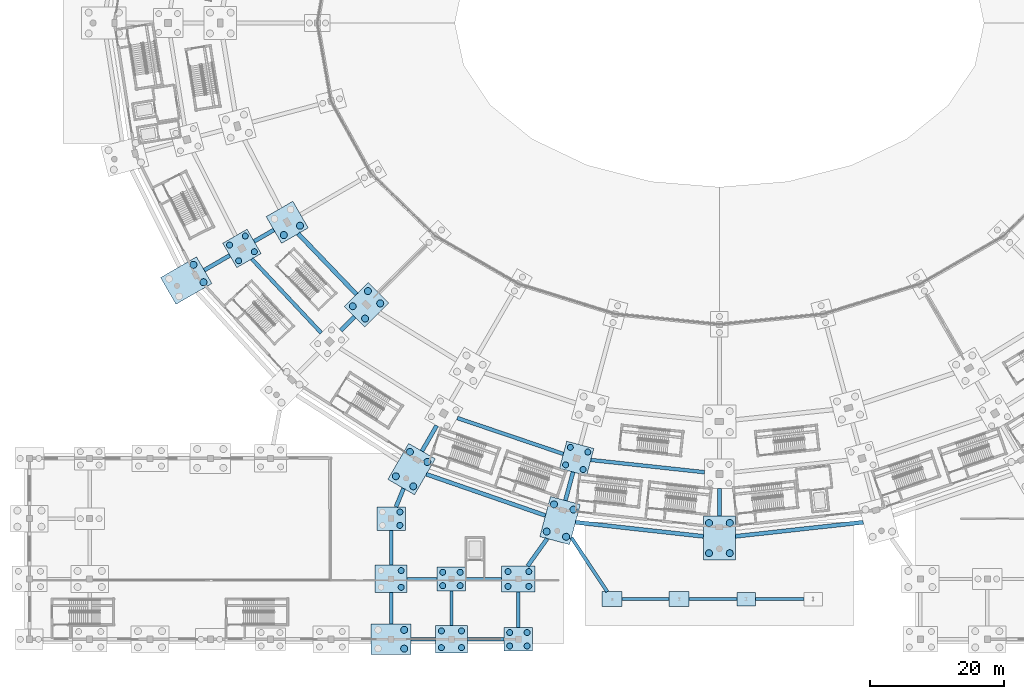
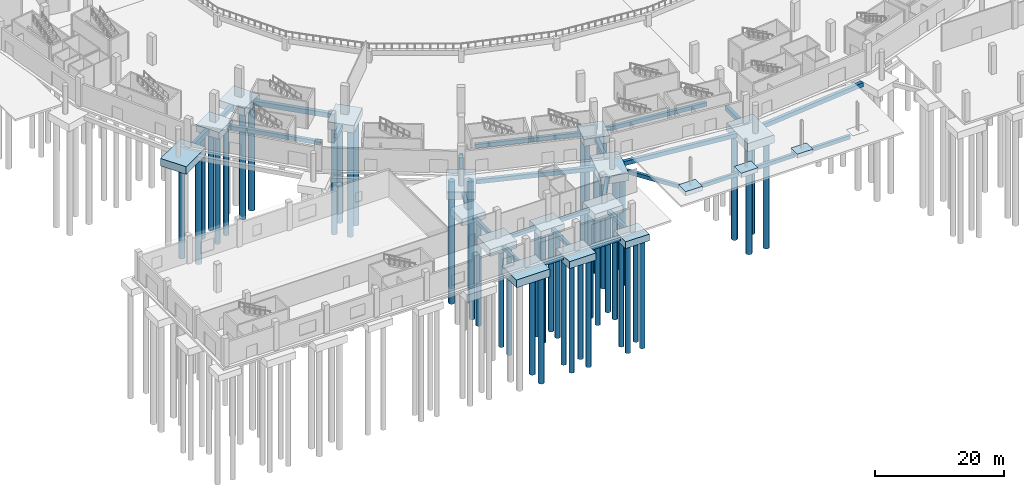
# One storey, part 2 of 103: 50 piles, 45 footings.
"""IFC4 building model written with IfcOpenShell, lengths in metres."""

from ifc_helpers import new_model, si_unit, direction, frame, origin, origin_2d, place, context, subcontext, project, spatial, rectangle, circle, extrude, material, material_profile, profile_set, type_object, element, save


model = new_model("IFC4")

# Units and contexts
model_context = context("Model", 3, precision=1e-05, world=origin(), true_north=direction((0.0, 1.0)))
body_context = subcontext(model_context, "Body", "Model", "MODEL_VIEW")
ifc_project = project(units=[si_unit("LENGTHUNIT", "METRE"), si_unit("AREAUNIT", "SQUARE_METRE"), si_unit("VOLUMEUNIT", "CUBIC_METRE"), si_unit("PLANEANGLEUNIT", "RADIAN"), si_unit("MASSUNIT", "GRAM", prefix="KILO")], contexts=[model_context])

# Site, building, storey
site_placement = place(None, origin())
site = spatial("IfcSite", under=ifc_project, at=site_placement, CompositionType="ELEMENT")
building_placement = place(site_placement, origin())
building = spatial("IfcBuilding", under=site, at=building_placement, Name="Zevraka Park Crest Stadium", CompositionType="ELEMENT")
storey_placement = place(building_placement, origin())
storey = spatial("IfcBuildingStorey", under=building, at=storey_placement, Name="L00", CompositionType="ELEMENT", Elevation=0.0)

# Footings
ifc_material_1 = material(Name="Concrete C35/45", Category="concrete")
ifc_material_profile_1 = material_profile(ifc_material_1, rectangle(XDim=0.60009765625, YDim=0.800048828125, at=origin_2d()), Name="GB 800x600")
ifc_profile_set_1 = profile_set([ifc_material_profile_1], Name="Concrete C35/45")
footing_type_1 = type_object("IfcFootingType", Name="GB01", PredefinedType="FOOTING_BEAM", material=ifc_profile_set_1)
footing_1_placement = place(storey_placement, frame((45.489013671875, 61.10009765625, -0.75), z_axis=(-0.865971507594, -0.500093339322, 0.0), x_axis=(0.500093339322, -0.865971507594, 0.0)))
element("IfcFooting", 1, at=footing_1_placement, inside=storey, type_object=footing_type_1, Name="Ground Tie Beam GB01 RAD-BC-14", PredefinedType="FOOTING_BEAM", context=body_context, shape_type="SweptSolid", body=[
    extrude(rectangle(XDim=0.60009765625, YDim=0.800048828125, at=origin_2d()), origin(), (0.0, 0.0, 1.0), 3.399658203125),
])
footing_2_placement = place(storey_placement, frame((38.906982421875, 57.300048828125, -0.75), z_axis=(-0.866004457284, -0.500036278648, 0.0), x_axis=(0.500036278648, -0.866004457284, 0.0)))
element("IfcFooting", 2, at=footing_2_placement, inside=storey, type_object=footing_type_1, Name="Ground Tie Beam GB01 RAD-CDE-14", PredefinedType="FOOTING_BEAM", context=body_context, shape_type="SweptSolid", body=[
    extrude(rectangle(XDim=0.60009765625, YDim=0.800048828125, at=origin_2d()), origin(), (0.0, 0.0, 1.0), 4.399658203125),
])
footing_3_placement = place(storey_placement, frame((57.51806640625, 48.1240234375, -0.75), z_axis=(-0.707106781187, -0.707106781187, 0.0), x_axis=(0.707106781187, -0.707106781187, 0.0)))
element("IfcFooting", 3, at=footing_3_placement, inside=storey, type_object=footing_type_1, Name="Ground Tie Beam GB01 RAD-BC-15", PredefinedType="FOOTING_BEAM", context=body_context, shape_type="SweptSolid", body=[
    extrude(rectangle(XDim=0.60009765625, YDim=0.800048828125, at=origin_2d()), origin(), (0.0, 0.0, 1.0), 2.875),
])
footing_4_placement = place(storey_placement, frame((69.800048828125, 31.89697265625, -0.75), z_axis=(-0.500036278648, -0.866004457284, 0.0), x_axis=(0.866004457284, -0.500036278648, 0.0)))
element("IfcFooting", 4, at=footing_4_placement, inside=storey, type_object=footing_type_1, Name="Ground Tie Beam GB01 RAD-CDE-16", PredefinedType="FOOTING_BEAM", context=body_context, shape_type="SweptSolid", body=[
    extrude(rectangle(XDim=0.60009765625, YDim=0.800048828125, at=origin_2d()), origin(), (0.0, 0.0, 1.0), 4.399658203125),
])
footing_5_placement = place(storey_placement, frame((68.262939453125, 24.635009765625, -0.75), z_axis=(0.944853282542, -0.327493930431, 0.0), x_axis=(0.327493930431, 0.944853282542, 0.0)))
element("IfcFooting", 5, at=footing_5_placement, inside=storey, type_object=footing_type_1, Name="Ground Tie Beam GB01 CIR-DE-16", PredefinedType="FOOTING_BEAM", context=body_context, shape_type="SweptSolid", body=[
    extrude(rectangle(XDim=0.60009765625, YDim=0.800048828125, at=origin_2d()), origin(), (0.0, 0.0, 1.0), 18.809326171875),
])
footing_6_placement = place(storey_placement, frame((90.155029296875, 24.965087890625, -0.75), z_axis=(-0.258791543435, -0.965933194919, 0.0), x_axis=(0.965933194919, -0.258791543435, 0.0)))
element("IfcFooting", 6, at=footing_6_placement, inside=storey, type_object=footing_type_1, Name="Ground Tie Beam GB01 RAD-CDE-17", PredefinedType="FOOTING_BEAM", context=body_context, shape_type="SweptSolid", body=[
    extrude(rectangle(XDim=0.60009765625, YDim=0.800048828125, at=origin_2d()), origin(), (0.0, 0.0, 1.0), 4.40087890625),
])
footing_7_placement = place(storey_placement, frame((90.527099609375, 17.465087890625, -0.75), z_axis=(0.993987099592, -0.109497241262, 0.0), x_axis=(0.109497241262, 0.993987099592, 0.0)))
element("IfcFooting", 7, at=footing_7_placement, inside=storey, type_object=footing_type_1, Name="Ground Tie Beam GB01 CIR-DE-17", PredefinedType="FOOTING_BEAM", context=body_context, shape_type="SweptSolid", body=[
    extrude(rectangle(XDim=0.60009765625, YDim=0.800048828125, at=origin_2d()), origin(), (0.0, 0.0, 1.0), 19.1884765625),
])
footing_8_placement = place(storey_placement, frame((112.0, 22.5, -0.75), z_axis=(0.0, -1.0, 0.0), x_axis=(1.0, 0.0, 0.0)))
element("IfcFooting", 8, at=footing_8_placement, inside=storey, type_object=footing_type_1, Name="Ground Tie Beam GB01 RAD-CDE-18", PredefinedType="FOOTING_BEAM", context=body_context, shape_type="SweptSolid", body=[
    extrude(rectangle(XDim=0.60009765625, YDim=0.800048828125, at=origin_2d()), origin(), (0.0, 0.0, 1.0), 4.10009765625),
])
footing_9_placement = place(storey_placement, frame((114.39990234375, 15.364013671875, -0.75), z_axis=(0.993987099592, 0.109497241262, 0.0), x_axis=(-0.109497241262, 0.993987099592, 0.0)))
element("IfcFooting", 9, at=footing_9_placement, inside=storey, type_object=footing_type_1, Name="Ground Tie Beam GB01 CIR-DE-18", PredefinedType="FOOTING_BEAM", context=body_context, shape_type="SweptSolid", body=[
    extrude(rectangle(XDim=0.60009765625, YDim=0.800048828125, at=origin_2d()), origin(), (0.0, 0.0, 1.0), 19.1884765625),
])
footing_10_placement = place(storey_placement, frame((83.3720703125, 10.925048828125, -0.75), z_axis=(0.580370877675, 0.814352285161, 0.0), x_axis=(-0.814352285161, 0.580370877675, 0.0)))
element("IfcFooting", 10, at=footing_10_placement, inside=storey, type_object=footing_type_1, Name="Ground Tie Beam GB01 WTIE-10-B", PredefinedType="FOOTING_BEAM", context=body_context, shape_type="SweptSolid", body=[
    extrude(rectangle(XDim=0.60009765625, YDim=0.800048828125, at=origin_2d()), origin(), (0.0, 0.0, 1.0), 5.034423828125),
])
footing_11_placement = place(storey_placement, frame((63.73095703125, 19.77490234375, -0.75), z_axis=(0.380961493726, 0.924590904291, 0.0), x_axis=(-0.924590904291, 0.380961493726, 0.0)))
element("IfcFooting", 11, at=footing_11_placement, inside=storey, type_object=footing_type_1, Name="Ground Tie Beam GB01 WTIE-8-C", PredefinedType="FOOTING_BEAM", context=body_context, shape_type="SweptSolid", body=[
    extrude(rectangle(XDim=0.60009765625, YDim=0.800048828125, at=origin_2d()), origin(), (0.0, 0.0, 1.0), 2.958251953125),
])
ifc_material_2 = material(Name="Concrete C35/45", Category="concrete")
ifc_material_profile_2 = material_profile(ifc_material_2, rectangle(XDim=0.5, YDim=0.699951171875, at=origin_2d()), Name="GB 700x500")
ifc_profile_set_2 = profile_set([ifc_material_profile_2], Name="Concrete C35/45")
footing_type_2 = type_object("IfcFootingType", Name="GB02", PredefinedType="FOOTING_BEAM", material=ifc_profile_set_2)
footing_12_placement = place(storey_placement, frame((82.0, 1.77490234375, -0.699951171875), z_axis=(0.0, 1.0, 0.0), x_axis=(-1.0, 0.0, 0.0)))
element("IfcFooting", 12, at=footing_12_placement, inside=storey, type_object=footing_type_2, Name="Ground Tie Beam GB02 WY-10-A", PredefinedType="FOOTING_BEAM", context=body_context, shape_type="SweptSolid", body=[
    extrude(rectangle(XDim=0.5, YDim=0.699951171875, at=origin_2d()), origin(), (0.0, 0.0, 1.0), 5.300048828125),
])
footing_13_placement = place(storey_placement, frame((66.0, 0.0, -0.699951171875), z_axis=(1.0, 0.0, 0.0), x_axis=(0.0, 1.0, 0.0)))
element("IfcFooting", 13, at=footing_13_placement, inside=storey, type_object=footing_type_2, Name="Ground Tie Beam GB02 WX-8-A", PredefinedType="FOOTING_BEAM", context=body_context, shape_type="SweptSolid", body=[
    extrude(rectangle(XDim=0.5, YDim=0.699951171875, at=origin_2d()), origin(), (0.0, 0.0, 1.0), 3.60009765625),
])
footing_14_placement = place(storey_placement, frame((63.0, 2.25, -0.699951171875), z_axis=(0.0, 1.0, 0.0), x_axis=(-1.0, 0.0, 0.0)))
element("IfcFooting", 14, at=footing_14_placement, inside=storey, type_object=footing_type_2, Name="Ground Tie Beam GB02 WY-8-A", PredefinedType="FOOTING_BEAM", context=body_context, shape_type="SweptSolid", body=[
    extrude(rectangle(XDim=0.5, YDim=0.699951171875, at=origin_2d()), origin(), (0.0, 0.0, 1.0), 4.699951171875),
])
footing_15_placement = place(storey_placement, frame((65.39990234375, 9.0, -0.699951171875), z_axis=(1.0, 0.0, 0.0), x_axis=(0.0, 1.0, 0.0)))
element("IfcFooting", 15, at=footing_15_placement, inside=storey, type_object=footing_type_2, Name="Ground Tie Beam GB02 WX-8-B", PredefinedType="FOOTING_BEAM", context=body_context, shape_type="SweptSolid", body=[
    extrude(rectangle(XDim=0.5, YDim=0.699951171875, at=origin_2d()), origin(), (0.0, 0.0, 1.0), 4.47509765625),
])
footing_16_placement = place(storey_placement, frame((63.0, 11.050048828125, -0.699951171875), z_axis=(0.0, 1.0, 0.0), x_axis=(-1.0, 0.0, 0.0)))
element("IfcFooting", 16, at=footing_16_placement, inside=storey, type_object=footing_type_2, Name="Ground Tie Beam GB02 WY-8-B", PredefinedType="FOOTING_BEAM", context=body_context, shape_type="SweptSolid", body=[
    extrude(rectangle(XDim=0.5, YDim=0.699951171875, at=origin_2d()), origin(), (0.0, 0.0, 1.0), 5.175048828125),
])
footing_17_placement = place(storey_placement, frame((74.39990234375, 0.0, -0.699951171875), z_axis=(1.0, 0.0, 0.0), x_axis=(0.0, 1.0, 0.0)))
element("IfcFooting", 17, at=footing_17_placement, inside=storey, type_object=footing_type_2, Name="Ground Tie Beam GB02 WX-9-A", PredefinedType="FOOTING_BEAM", context=body_context, shape_type="SweptSolid", body=[
    extrude(rectangle(XDim=0.5, YDim=0.699951171875, at=origin_2d()), origin(), (0.0, 0.0, 1.0), 5.47509765625),
])
footing_18_placement = place(storey_placement, frame((72.0, 2.050048828125, -0.699951171875), z_axis=(0.0, 1.0, 0.0), x_axis=(-1.0, 0.0, 0.0)))
element("IfcFooting", 18, at=footing_18_placement, inside=storey, type_object=footing_type_2, Name="Ground Tie Beam GB02 WY-9-A", PredefinedType="FOOTING_BEAM", context=body_context, shape_type="SweptSolid", body=[
    extrude(rectangle(XDim=0.5, YDim=0.699951171875, at=origin_2d()), origin(), (0.0, 0.0, 1.0), 5.175048828125),
])
footing_19_placement = place(storey_placement, frame((74.125, 9.0, -0.699951171875), z_axis=(1.0, 0.0, 0.0), x_axis=(0.0, 1.0, 0.0)))
element("IfcFooting", 19, at=footing_19_placement, inside=storey, type_object=footing_type_2, Name="Ground Tie Beam GB02 WX-9-B", PredefinedType="FOOTING_BEAM", context=body_context, shape_type="SweptSolid", body=[
    extrude(rectangle(XDim=0.5, YDim=0.699951171875, at=origin_2d()), origin(), (0.0, 0.0, 1.0), 5.375),
])
footing_20_placement = place(storey_placement, frame((97.5, 6.0, -0.699951171875), z_axis=(1.0, 0.0, 0.0), x_axis=(0.0, 1.0, 0.0)))
element("IfcFooting", 20, at=footing_20_placement, inside=storey, type_object=footing_type_2, Name="Ground Tie Beam GB02 PADS-1", PredefinedType="FOOTING_BEAM", context=body_context, shape_type="SweptSolid", body=[
    extrude(rectangle(XDim=0.5, YDim=0.699951171875, at=origin_2d()), origin(), (0.0, 0.0, 1.0), 7.0),
])
footing_21_placement = place(storey_placement, frame((107.5, 6.0, -0.699951171875), z_axis=(1.0, 0.0, 0.0), x_axis=(0.0, 1.0, 0.0)))
element("IfcFooting", 21, at=footing_21_placement, inside=storey, type_object=footing_type_2, Name="Ground Tie Beam GB02 PADS-2", PredefinedType="FOOTING_BEAM", context=body_context, shape_type="SweptSolid", body=[
    extrude(rectangle(XDim=0.5, YDim=0.699951171875, at=origin_2d()), origin(), (0.0, 0.0, 1.0), 7.10009765625),
])
footing_22_placement = place(storey_placement, frame((117.39990234375, 6.0, -0.699951171875), z_axis=(1.0, 0.0, 0.0), x_axis=(0.0, 1.0, 0.0)))
element("IfcFooting", 22, at=footing_22_placement, inside=storey, type_object=footing_type_2, Name="Ground Tie Beam GB02 PADS-3", PredefinedType="FOOTING_BEAM", context=body_context, shape_type="SweptSolid", body=[
    extrude(rectangle(XDim=0.5, YDim=0.699951171875, at=origin_2d()), origin(), (0.0, 0.0, 1.0), 7.2001953125),
])
footing_23_placement = place(storey_placement, frame((95.26904296875, 7.10009765625, -0.699951171875), z_axis=(-0.553332170251, 0.832960688967, 0.0), x_axis=(-0.832960688967, -0.553332170251, 0.0)))
element("IfcFooting", 23, at=footing_23_placement, inside=storey, type_object=footing_type_2, Name="Ground Tie Beam GB02 PADS-TIE", PredefinedType="FOOTING_BEAM", context=body_context, shape_type="SweptSolid", body=[
    extrude(rectangle(XDim=0.5, YDim=0.699951171875, at=origin_2d()), origin(), (0.0, 0.0, 1.0), 9.683349609375),
])
ifc_material_3 = material(Name="Concrete C35/45", Category="concrete")
ifc_material_profile_3 = material_profile(ifc_material_3, rectangle(XDim=0.64990234375, YDim=0.89990234375, at=origin_2d()), Name="GB 900x650")
ifc_profile_set_3 = profile_set([ifc_material_profile_3], Name="Concrete C35/45")
footing_type_3 = type_object("IfcFootingType", Name="GB03", PredefinedType="FOOTING_BEAM", material=ifc_profile_set_3)
footing_24_placement = place(storey_placement, frame((49.1220703125, 60.5419921875, -0.800048828125), z_axis=(0.692845501085, -0.721086063952, 0.0), x_axis=(0.721086063952, 0.692845501085, 0.0)))
element("IfcFooting", 24, at=footing_24_placement, inside=storey, type_object=footing_type_3, Name="Ground Tie Beam GB03 CIR-B-14", PredefinedType="FOOTING_BEAM", context=body_context, shape_type="SweptSolid", body=[
    extrude(rectangle(XDim=0.64990234375, YDim=0.89990234375, at=origin_2d()), origin(), (0.0, 0.0, 1.0), 12.56982421875),
])
ifc_material_4 = material(Name="Concrete C35/45", Category="concrete")
ifc_material_profile_4 = material_profile(ifc_material_4, rectangle(XDim=0.550048828125, YDim=0.75, at=origin_2d()), Name="GB 750x550")
ifc_profile_set_4 = profile_set([ifc_material_profile_4], Name="Concrete C35/45")
footing_type_4 = type_object("IfcFootingType", Name="GB04", PredefinedType="FOOTING_BEAM", material=ifc_profile_set_4)
footing_25_placement = place(storey_placement, frame((42.201904296875, 56.777099609375, -0.72509765625), z_axis=(0.684286663636, -0.729213111491, 0.0), x_axis=(0.729213111491, 0.684286663636, 0.0)))
element("IfcFooting", 25, at=footing_25_placement, inside=storey, type_object=footing_type_4, Name="Ground Tie Beam GB04 CIR-C-14", PredefinedType="FOOTING_BEAM", context=body_context, shape_type="SweptSolid", body=[
    extrude(rectangle(XDim=0.550048828125, YDim=0.75, at=origin_2d()), origin(), (0.0, 0.0, 1.0), 15.156005859375),
])
footing_26_placement = place(storey_placement, frame((72.8779296875, 33.029052734375, -0.72509765625), z_axis=(0.947145577983, -0.32080407433, 0.0), x_axis=(0.32080407433, 0.947145577983, 0.0)))
element("IfcFooting", 26, at=footing_26_placement, inside=storey, type_object=footing_type_4, Name="Ground Tie Beam GB04 CIR-C-16", PredefinedType="FOOTING_BEAM", context=body_context, shape_type="SweptSolid", body=[
    extrude(rectangle(XDim=0.550048828125, YDim=0.75, at=origin_2d()), origin(), (0.0, 0.0, 1.0), 16.71142578125),
])
footing_27_placement = place(storey_placement, frame((92.81201171875, 26.76611328125, -0.72509765625), z_axis=(0.994253503641, -0.107051251732, 0.0), x_axis=(0.107051251732, 0.994253503641, 0.0)))
element("IfcFooting", 27, at=footing_27_placement, inside=storey, type_object=footing_type_4, Name="Ground Tie Beam GB04 CIR-C-17", PredefinedType="FOOTING_BEAM", context=body_context, shape_type="SweptSolid", body=[
    extrude(rectangle(XDim=0.550048828125, YDim=0.75, at=origin_2d()), origin(), (0.0, 0.0, 1.0), 17.086181640625),
])
ifc_material_5 = material(Name="Concrete C35/45", Category="concrete")
footing_type_5 = type_object("IfcFootingType", Name="PC03", PredefinedType="PILE_CAP", material=ifc_material_5)
footing_28_placement = place(storey_placement, frame((47.48095703125, 62.25, -1.75), z_axis=(0.0, 0.0, 1.0), x_axis=(0.866025403784, 0.5, 0.0)))
element("IfcFooting", 28, at=footing_28_placement, inside=storey, type_object=footing_type_5, Name="Foundation PC03 B-14", PredefinedType="PILE_CAP", context=body_context, shape_type="SweptSolid", body=[
    extrude(rectangle(XDim=4.60009765625, YDim=4.60009765625, at=origin_2d()), origin(), (0.0, 0.0, 1.0), 1.39990234375),
])
ifc_material_6 = material(Name="Concrete C35/45", Category="concrete")
footing_type_6 = type_object("IfcFootingType", Name="PC05", PredefinedType="PILE_CAP", material=ifc_material_6)
for number, where, z_axis, x_axis, name in (
    (29, (40.72607421875, 58.35009765625, -1.64990234375), (0.0, 0.0, 1.0), (0.866025403784, 0.5, 0.0), "Foundation PC05 C-14"),
    (30, (90.698974609375, 26.992919921875, -1.64990234375), (0.0, 0.0, 1.0), (0.258819045103, 0.965925826289, 0.0), "Foundation PC05 C-17"),
):
    element("IfcFooting", number, at=place(storey_placement, frame(where, z_axis=z_axis, x_axis=x_axis)), inside=storey, type_object=footing_type_6, Name=name, PredefinedType="PILE_CAP", context=body_context, shape_type="SweptSolid", body=[
        extrude(rectangle(XDim=4.199951171875, YDim=4.199951171875, at=origin_2d()), origin(), (0.0, 0.0, 1.0), 1.300048828125),
    ])
ifc_material_7 = material(Name="Concrete C35/45", Category="concrete")
footing_type_7 = type_object("IfcFootingType", Name="PC07", PredefinedType="PILE_CAP", material=ifc_material_7)
for number, where, z_axis, x_axis, name in (
    (31, (32.412109375, 53.550048828125, -1.7998046875), (0.0, 0.0, 1.0), (0.866025403784, 0.5, 0.0), "Foundation PC07 DE-14"),
    (32, (66.050048828125, 25.402099609375, -1.7998046875), (0.0, 0.0, 1.0), (0.5, 0.866025403784, 0.0), "Foundation PC07 DE-16"),
    (33, (88.214111328125, 17.719970703125, -1.7998046875), (0.0, 0.0, 1.0), (0.258819045103, 0.965925826289, 0.0), "Foundation PC07 DE-17"),
):
    element("IfcFooting", number, at=place(storey_placement, frame(where, z_axis=z_axis, x_axis=x_axis)), inside=storey, type_object=footing_type_7, Name=name, PredefinedType="PILE_CAP", context=body_context, shape_type="SweptSolid", body=[
        extrude(rectangle(XDim=6.199951171875, YDim=4.60009765625, at=origin_2d()), origin(), (0.0, 0.0, 1.0), 1.449951171875),
    ])
ifc_material_8 = material(Name="Concrete C35/45", Category="concrete")
footing_type_8 = type_object("IfcFootingType", Name="PC08", PredefinedType="PILE_CAP", material=ifc_material_8)
footing_29_placement = place(storey_placement, frame((112.0, 15.10009765625, -1.89990234375), z_axis=(0.0, 0.0, 1.0), x_axis=(0.0, 1.0, 0.0)))
element("IfcFooting", 34, at=footing_29_placement, inside=storey, type_object=footing_type_8, Name="Foundation PC08 DE-18", PredefinedType="PILE_CAP", context=body_context, shape_type="SweptSolid", body=[
    extrude(rectangle(XDim=6.60009765625, YDim=4.800048828125, at=origin_2d()), origin(), (0.0, 0.0, 1.0), 1.550048828125),
])
ifc_material_9 = material(Name="Concrete C35/45", Category="concrete")
footing_type_9 = type_object("IfcFootingType", Name="PC14", PredefinedType="PILE_CAP", material=ifc_material_9)
footing_30_placement = place(storey_placement, frame((59.321044921875, 49.927001953125, -1.75), z_axis=(0.0, 0.0, 1.0), x_axis=(0.707106781187, 0.707106781187, 0.0)))
element("IfcFooting", 35, at=footing_30_placement, inside=storey, type_object=footing_type_9, Name="Foundation PC14 B-15", PredefinedType="PILE_CAP", context=body_context, shape_type="SweptSolid", body=[
    extrude(rectangle(XDim=5.10009765625, YDim=4.300048828125, at=origin_2d()), origin(), (0.0, 0.0, 1.0), 1.39990234375),
])
ifc_material_10 = material(Name="Concrete C35/45", Category="concrete")
footing_type_10 = type_object("IfcFootingType", Name="PC19", PredefinedType="PILE_CAP", material=ifc_material_10)
footing_31_placement = place(storey_placement, frame((63.0, 0.0, -1.830078125), z_axis=(0.0, 0.0, 1.0), x_axis=(1.0, 0.0, 0.0)))
element("IfcFooting", 36, at=footing_31_placement, inside=storey, type_object=footing_type_10, Name="Foundation PC19 W-8-A", PredefinedType="PILE_CAP", context=body_context, shape_type="SweptSolid", body=[
    extrude(rectangle(XDim=6.0, YDim=4.5, at=origin_2d()), origin(), (0.0, 0.0, 1.0), 1.47998046875),
])
ifc_material_11 = material(Name="Concrete C35/45", Category="concrete")
footing_type_11 = type_object("IfcFootingType", Name="PC20", PredefinedType="PILE_CAP", material=ifc_material_11)
for number, where, z_axis, x_axis, name in (
    (37, (63.0, 9.0, -1.699951171875), (0.0, 0.0, 1.0), (1.0, 0.0, 0.0), "Foundation PC20 W-8-B"),
    (38, (72.0, 0.0, -1.699951171875), (0.0, 0.0, 1.0), (1.0, 0.0, 0.0), "Foundation PC20 W-9-A"),
):
    element("IfcFooting", number, at=place(storey_placement, frame(where, z_axis=z_axis, x_axis=x_axis)), inside=storey, type_object=footing_type_11, Name=name, PredefinedType="PILE_CAP", context=body_context, shape_type="SweptSolid", body=[
        extrude(rectangle(XDim=4.800048828125, YDim=4.10009765625, at=origin_2d()), origin(), (0.0, 0.0, 1.0), 1.35009765625),
    ])
ifc_material_12 = material(Name="Concrete C35/45", Category="concrete")
footing_type_12 = type_object("IfcFootingType", Name="PC21", PredefinedType="PILE_CAP", material=ifc_material_12)
for number, where, z_axis, x_axis, name in (
    (39, (63.0, 18.0, -1.6298828125), (0.0, 0.0, 1.0), (1.0, 0.0, 0.0), "Foundation PC21 W-8-C"),
    (40, (72.0, 9.0, -1.6298828125), (0.0, 0.0, 1.0), (1.0, 0.0, 0.0), "Foundation PC21 W-9-B"),
    (41, (82.0, 0.0, -1.6298828125), (0.0, 0.0, 1.0), (1.0, 0.0, 0.0), "Foundation PC21 W-10-A"),
):
    element("IfcFooting", number, at=place(storey_placement, frame(where, z_axis=z_axis, x_axis=x_axis)), inside=storey, type_object=footing_type_12, Name=name, PredefinedType="PILE_CAP", context=body_context, shape_type="SweptSolid", body=[
        extrude(rectangle(XDim=4.25, YDim=3.550048828125, at=origin_2d()), origin(), (0.0, 0.0, 1.0), 1.280029296875),
    ])
ifc_material_13 = material(Name="Concrete C35/45", Category="concrete")
footing_type_13 = type_object("IfcFootingType", Name="PC22", PredefinedType="PILE_CAP", material=ifc_material_13)
footing_32_placement = place(storey_placement, frame((82.0, 9.0, -1.7099609375), z_axis=(0.0, 0.0, 1.0), x_axis=(1.0, 0.0, 0.0)))
element("IfcFooting", 42, at=footing_32_placement, inside=storey, type_object=footing_type_13, Name="Foundation PC22 W-10-B", PredefinedType="PILE_CAP", context=body_context, shape_type="SweptSolid", body=[
    extrude(rectangle(XDim=5.0, YDim=3.85009765625, at=origin_2d()), origin(), (0.0, 0.0, 1.0), 1.360107421875),
])
ifc_material_14 = material(Name="Concrete C35/45", Category="concrete")
footing_type_14 = type_object("IfcFootingType", Name="PF03", PredefinedType="PAD_FOOTING", material=ifc_material_14)
footing_33_placement = place(storey_placement, frame((116.0, 6.0, -0.75), z_axis=(0.0, 0.0, 1.0), x_axis=(1.0, 0.0, 0.0)))
element("IfcFooting", 43, at=footing_33_placement, inside=storey, type_object=footing_type_14, Name="Foundation PF03 PAD-S3", PredefinedType="PAD_FOOTING", context=body_context, shape_type="SweptSolid", body=[
    extrude(rectangle(XDim=2.800048828125, YDim=2.0, at=origin_2d()), origin(), (0.0, 0.0, 1.0), 0.75),
])
ifc_material_15 = material(Name="Concrete C35/45", Category="concrete")
footing_type_15 = type_object("IfcFootingType", Name="PF04", PredefinedType="PAD_FOOTING", material=ifc_material_15)
for number, where, z_axis, x_axis, name in (
    (44, (96.0, 6.0, -0.85009765625), (0.0, 0.0, 1.0), (1.0, 0.0, 0.0), "Foundation PF04 PAD-S1"),
    (45, (106.0, 6.0, -0.85009765625), (0.0, 0.0, 1.0), (1.0, 0.0, 0.0), "Foundation PF04 PAD-S2"),
):
    element("IfcFooting", number, at=place(storey_placement, frame(where, z_axis=z_axis, x_axis=x_axis)), inside=storey, type_object=footing_type_15, Name=name, PredefinedType="PAD_FOOTING", context=body_context, shape_type="SweptSolid", body=[
        extrude(rectangle(XDim=3.0, YDim=2.199951171875, at=origin_2d()), origin(), (0.0, 0.0, 1.0), 0.85009765625),
    ])

# Piles
ifc_material_16 = material(Name="Concrete C35/45", Category="concrete")
ifc_material_profile_5 = material_profile(ifc_material_16, circle(Radius=0.449951171875, at=origin_2d()), Name="PILE D900")
ifc_profile_set_5 = profile_set([ifc_material_profile_5], Name="Concrete C35/45")
pile_type_1 = type_object("IfcPileType", Name="PL01", PredefinedType="BORED", material=ifc_profile_set_5)
for number, where, z_axis, x_axis, name in (
    (46, (40.23193359375, 56.506103515625, -1.550048828125), (0.0, 0.0, -1.0), (1.0, 0.0, 0.0), "Bored Pile PL01 C-14-1"),
    (47, (42.570068359375, 57.85595703125, -1.550048828125), (0.0, 0.0, -1.0), (1.0, 0.0, 0.0), "Bored Pile PL01 C-14-2"),
    (48, (38.882080078125, 58.843994140625, -1.550048828125), (0.0, 0.0, -1.0), (1.0, 0.0, 0.0), "Bored Pile PL01 C-14-3"),
    (49, (41.219970703125, 60.194091796875, -1.550048828125), (0.0, 0.0, -1.0), (1.0, 0.0, 0.0), "Bored Pile PL01 C-14-4"),
    (50, (91.654052734375, 25.340087890625, -1.550048828125), (0.0, 0.0, -1.0), (1.0, 0.0, 0.0), "Bored Pile PL01 C-17-1"),
    (51, (92.35205078125, 27.947998046875, -1.550048828125), (0.0, 0.0, -1.0), (1.0, 0.0, 0.0), "Bored Pile PL01 C-17-2"),
    (52, (89.0458984375, 26.0380859375, -1.550048828125), (0.0, 0.0, -1.0), (1.0, 0.0, 0.0), "Bored Pile PL01 C-17-3"),
    (53, (89.743896484375, 28.64599609375, -1.550048828125), (0.0, 0.0, -1.0), (1.0, 0.0, 0.0), "Bored Pile PL01 C-17-4"),
):
    element("IfcPile", number, at=place(storey_placement, frame(where, z_axis=z_axis, x_axis=x_axis)), inside=storey, type_object=pile_type_1, Name=name, PredefinedType="BORED", context=body_context, shape_type="SweptSolid", body=[
        extrude(circle(Radius=0.449951171875, at=origin_2d()), origin(), (0.0, 0.0, 1.0), 20.449951171875),
    ])
for number, where, z_axis, x_axis, name in (
    (54, (64.5, 7.75, -1.60009765625), (0.0, 0.0, -1.0), (1.0, 0.0, 0.0), "Bored Pile PL01 W-8-B-2"),
    (55, (64.5, 10.25, -1.60009765625), (0.0, 0.0, -1.0), (1.0, 0.0, 0.0), "Bored Pile PL01 W-8-B-4"),
):
    element("IfcPile", number, at=place(storey_placement, frame(where, z_axis=z_axis, x_axis=x_axis)), inside=storey, type_object=pile_type_1, Name=name, PredefinedType="BORED", context=body_context, shape_type="SweptSolid", body=[
        extrude(circle(Radius=0.449951171875, at=origin_2d()), origin(), (0.0, 0.0, 1.0), 20.39990234375),
    ])
for number, where, z_axis, x_axis, name in (
    (56, (64.300048828125, 17.0, -1.530029296875), (0.0, 0.0, -1.0), (1.0, 0.0, 0.0), "Bored Pile PL01 W-8-C-2"),
    (57, (64.300048828125, 19.0, -1.530029296875), (0.0, 0.0, -1.0), (1.0, 0.0, 0.0), "Bored Pile PL01 W-8-C-4"),
):
    element("IfcPile", number, at=place(storey_placement, frame(where, z_axis=z_axis, x_axis=x_axis)), inside=storey, type_object=pile_type_1, Name=name, PredefinedType="BORED", context=body_context, shape_type="SweptSolid", body=[
        extrude(circle(Radius=0.449951171875, at=origin_2d()), origin(), (0.0, 0.0, 1.0), 20.469970703125),
    ])
for number, where, z_axis, x_axis, name in (
    (58, (70.5, -1.25, -1.60009765625), (0.0, 0.0, -1.0), (1.0, 0.0, 0.0), "Bored Pile PL01 W-9-A-1"),
    (59, (73.5, -1.25, -1.60009765625), (0.0, 0.0, -1.0), (1.0, 0.0, 0.0), "Bored Pile PL01 W-9-A-2"),
    (60, (70.5, 1.25, -1.60009765625), (0.0, 0.0, -1.0), (1.0, 0.0, 0.0), "Bored Pile PL01 W-9-A-3"),
    (61, (73.5, 1.25, -1.60009765625), (0.0, 0.0, -1.0), (1.0, 0.0, 0.0), "Bored Pile PL01 W-9-A-4"),
):
    element("IfcPile", number, at=place(storey_placement, frame(where, z_axis=z_axis, x_axis=x_axis)), inside=storey, type_object=pile_type_1, Name=name, PredefinedType="BORED", context=body_context, shape_type="SweptSolid", body=[
        extrude(circle(Radius=0.449951171875, at=origin_2d()), origin(), (0.0, 0.0, 1.0), 20.39990234375),
    ])
for number, where, z_axis, x_axis, name in (
    (62, (70.699951171875, 8.0, -1.530029296875), (0.0, 0.0, -1.0), (1.0, 0.0, 0.0), "Bored Pile PL01 W-9-B-1"),
    (63, (73.300048828125, 8.0, -1.530029296875), (0.0, 0.0, -1.0), (1.0, 0.0, 0.0), "Bored Pile PL01 W-9-B-2"),
    (64, (70.699951171875, 10.0, -1.530029296875), (0.0, 0.0, -1.0), (1.0, 0.0, 0.0), "Bored Pile PL01 W-9-B-3"),
    (65, (73.300048828125, 10.0, -1.530029296875), (0.0, 0.0, -1.0), (1.0, 0.0, 0.0), "Bored Pile PL01 W-9-B-4"),
    (66, (80.699951171875, -1.0, -1.530029296875), (0.0, 0.0, -1.0), (1.0, 0.0, 0.0), "Bored Pile PL01 W-10-A-1"),
    (67, (83.300048828125, -1.0, -1.530029296875), (0.0, 0.0, -1.0), (1.0, 0.0, 0.0), "Bored Pile PL01 W-10-A-2"),
    (68, (80.699951171875, 1.0, -1.530029296875), (0.0, 0.0, -1.0), (1.0, 0.0, 0.0), "Bored Pile PL01 W-10-A-3"),
    (69, (83.300048828125, 1.0, -1.530029296875), (0.0, 0.0, -1.0), (1.0, 0.0, 0.0), "Bored Pile PL01 W-10-A-4"),
):
    element("IfcPile", number, at=place(storey_placement, frame(where, z_axis=z_axis, x_axis=x_axis)), inside=storey, type_object=pile_type_1, Name=name, PredefinedType="BORED", context=body_context, shape_type="SweptSolid", body=[
        extrude(circle(Radius=0.449951171875, at=origin_2d()), origin(), (0.0, 0.0, 1.0), 20.469970703125),
    ])
for number, where, z_axis, x_axis, name in (
    (70, (80.449951171875, 7.89990234375, -1.610107421875), (0.0, 0.0, -1.0), (1.0, 0.0, 0.0), "Bored Pile PL01 W-10-B-1"),
    (71, (83.550048828125, 7.89990234375, -1.610107421875), (0.0, 0.0, -1.0), (1.0, 0.0, 0.0), "Bored Pile PL01 W-10-B-2"),
    (72, (80.449951171875, 10.10009765625, -1.610107421875), (0.0, 0.0, -1.0), (1.0, 0.0, 0.0), "Bored Pile PL01 W-10-B-3"),
    (73, (83.550048828125, 10.10009765625, -1.610107421875), (0.0, 0.0, -1.0), (1.0, 0.0, 0.0), "Bored Pile PL01 W-10-B-4"),
):
    element("IfcPile", number, at=place(storey_placement, frame(where, z_axis=z_axis, x_axis=x_axis)), inside=storey, type_object=pile_type_1, Name=name, PredefinedType="BORED", context=body_context, shape_type="SweptSolid", body=[
        extrude(circle(Radius=0.449951171875, at=origin_2d()), origin(), (0.0, 0.0, 1.0), 20.389892578125),
    ])
ifc_material_17 = material(Name="Concrete C35/45", Category="concrete")
ifc_material_profile_6 = material_profile(ifc_material_17, circle(Radius=0.52490234375, at=origin_2d()), Name="PILE D1050")
ifc_profile_set_6 = profile_set([ifc_material_profile_6], Name="Concrete C35/45")
pile_type_2 = type_object("IfcPileType", Name="PL02", PredefinedType="BORED", material=ifc_profile_set_6)
for number, where, z_axis, x_axis, name in (
    (74, (46.968994140625, 60.337890625, -1.64990234375), (0.0, 0.0, -1.0), (1.0, 0.0, 0.0), "Bored Pile PL02 B-14-1"),
    (75, (49.39306640625, 61.738037109375, -1.64990234375), (0.0, 0.0, -1.0), (1.0, 0.0, 0.0), "Bored Pile PL02 B-14-2"),
):
    element("IfcPile", number, at=place(storey_placement, frame(where, z_axis=z_axis, x_axis=x_axis)), inside=storey, type_object=pile_type_2, Name=name, PredefinedType="BORED", context=body_context, shape_type="SweptSolid", body=[
        extrude(circle(Radius=0.52490234375, at=origin_2d()), origin(), (0.0, 0.0, 1.0), 20.35009765625),
    ])
for number, where, z_axis, x_axis, name in (
    (76, (34.98095703125, 53.301025390625, -1.699951171875), (0.0, 0.0, -1.0), (1.0, 0.0, 0.0), "Bored Pile PL02 DE-14-2"),
    (77, (33.48095703125, 55.89892578125, -1.699951171875), (0.0, 0.0, -1.0), (1.0, 0.0, 0.0), "Bored Pile PL02 DE-14-4"),
):
    element("IfcPile", number, at=place(storey_placement, frame(where, z_axis=z_axis, x_axis=x_axis)), inside=storey, type_object=pile_type_2, Name=name, PredefinedType="BORED", context=body_context, shape_type="SweptSolid", body=[
        extrude(circle(Radius=0.52490234375, at=origin_2d()), origin(), (0.0, 0.0, 1.0), 20.300048828125),
    ])
for number, where, z_axis, x_axis, name in (
    (78, (59.10888671875, 47.8759765625, -1.64990234375), (0.0, 0.0, -1.0), (1.0, 0.0, 0.0), "Bored Pile PL02 B-15-1"),
    (79, (61.3720703125, 50.138916015625, -1.64990234375), (0.0, 0.0, -1.0), (1.0, 0.0, 0.0), "Bored Pile PL02 B-15-2"),
    (80, (57.27001953125, 49.715087890625, -1.64990234375), (0.0, 0.0, -1.0), (1.0, 0.0, 0.0), "Bored Pile PL02 B-15-3"),
    (81, (59.532958984375, 51.97802734375, -1.64990234375), (0.0, 0.0, -1.0), (1.0, 0.0, 0.0), "Bored Pile PL02 B-15-4"),
):
    element("IfcPile", number, at=place(storey_placement, frame(where, z_axis=z_axis, x_axis=x_axis)), inside=storey, type_object=pile_type_2, Name=name, PredefinedType="BORED", context=body_context, shape_type="SweptSolid", body=[
        extrude(circle(Radius=0.52490234375, at=origin_2d()), origin(), (0.0, 0.0, 1.0), 20.35009765625),
    ])
for number, where, z_axis, x_axis, name in (
    (82, (66.299072265625, 22.8330078125, -1.699951171875), (0.0, 0.0, -1.0), (1.0, 0.0, 0.0), "Bored Pile PL02 DE-16-1"),
    (83, (68.39892578125, 26.470947265625, -1.699951171875), (0.0, 0.0, -1.0), (1.0, 0.0, 0.0), "Bored Pile PL02 DE-16-2"),
    (84, (63.700927734375, 24.3330078125, -1.699951171875), (0.0, 0.0, -1.0), (1.0, 0.0, 0.0), "Bored Pile PL02 DE-16-3"),
    (85, (65.801025390625, 27.970947265625, -1.699951171875), (0.0, 0.0, -1.0), (1.0, 0.0, 0.0), "Bored Pile PL02 DE-16-4"),
    (86, (89.118896484375, 15.302978515625, -1.699951171875), (0.0, 0.0, -1.0), (1.0, 0.0, 0.0), "Bored Pile PL02 DE-17-1"),
    (87, (90.2060546875, 19.360107421875, -1.699951171875), (0.0, 0.0, -1.0), (1.0, 0.0, 0.0), "Bored Pile PL02 DE-17-2"),
    (88, (86.221923828125, 16.080078125, -1.699951171875), (0.0, 0.0, -1.0), (1.0, 0.0, 0.0), "Bored Pile PL02 DE-17-3"),
    (89, (87.30908203125, 20.136962890625, -1.699951171875), (0.0, 0.0, -1.0), (1.0, 0.0, 0.0), "Bored Pile PL02 DE-17-4"),
):
    element("IfcPile", number, at=place(storey_placement, frame(where, z_axis=z_axis, x_axis=x_axis)), inside=storey, type_object=pile_type_2, Name=name, PredefinedType="BORED", context=body_context, shape_type="SweptSolid", body=[
        extrude(circle(Radius=0.52490234375, at=origin_2d()), origin(), (0.0, 0.0, 1.0), 20.300048828125),
    ])
for number, where, z_axis, x_axis, name in (
    (90, (113.550048828125, 12.85009765625, -1.800048828125), (0.0, 0.0, -1.0), (1.0, 0.0, 0.0), "Bored Pile PL02 DE-18-1"),
    (91, (113.550048828125, 17.35009765625, -1.800048828125), (0.0, 0.0, -1.0), (1.0, 0.0, 0.0), "Bored Pile PL02 DE-18-2"),
    (92, (110.449951171875, 12.85009765625, -1.800048828125), (0.0, 0.0, -1.0), (1.0, 0.0, 0.0), "Bored Pile PL02 DE-18-3"),
    (93, (110.449951171875, 17.35009765625, -1.800048828125), (0.0, 0.0, -1.0), (1.0, 0.0, 0.0), "Bored Pile PL02 DE-18-4"),
):
    element("IfcPile", number, at=place(storey_placement, frame(where, z_axis=z_axis, x_axis=x_axis)), inside=storey, type_object=pile_type_2, Name=name, PredefinedType="BORED", context=body_context, shape_type="SweptSolid", body=[
        extrude(circle(Radius=0.52490234375, at=origin_2d()), origin(), (0.0, 0.0, 1.0), 20.199951171875),
    ])
for number, where, z_axis, x_axis, name in (
    (94, (64.949951171875, -1.39990234375, -1.72998046875), (0.0, 0.0, -1.0), (1.0, 0.0, 0.0), "Bored Pile PL02 W-8-A-2"),
    (95, (64.949951171875, 1.39990234375, -1.72998046875), (0.0, 0.0, -1.0), (1.0, 0.0, 0.0), "Bored Pile PL02 W-8-A-4"),
):
    element("IfcPile", number, at=place(storey_placement, frame(where, z_axis=z_axis, x_axis=x_axis)), inside=storey, type_object=pile_type_2, Name=name, PredefinedType="BORED", context=body_context, shape_type="SweptSolid", body=[
        extrude(circle(Radius=0.52490234375, at=origin_2d()), origin(), (0.0, 0.0, 1.0), 20.27001953125),
    ])

save(model, "model.ifc")
